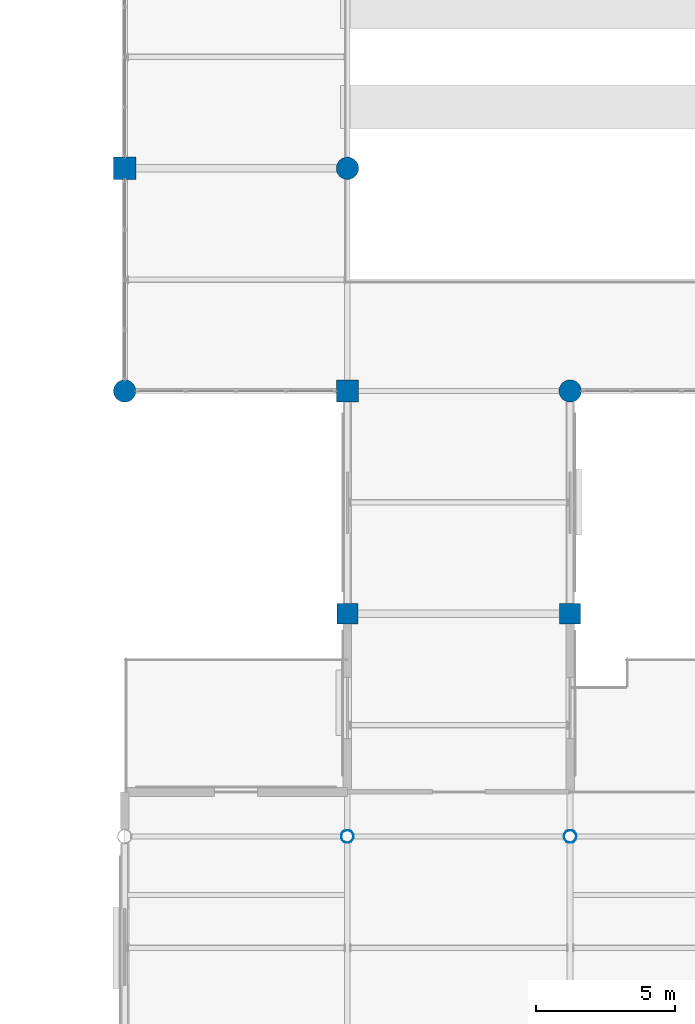
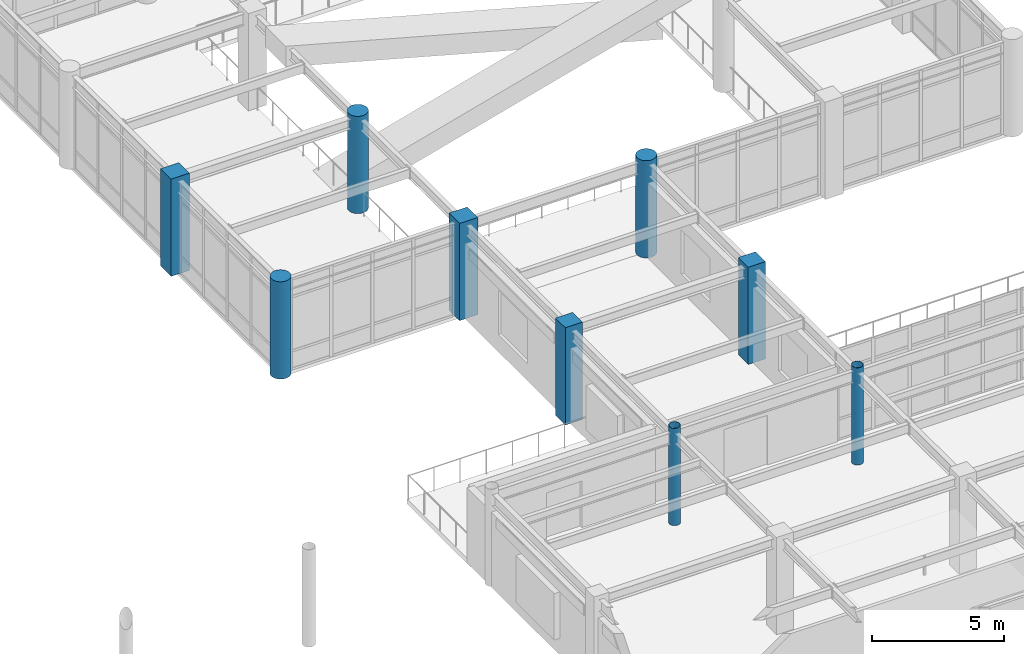
# One storey, part 3 of 93: 9 columns.
"""IFC4 building model written with IfcOpenShell, lengths in metres."""

from ifc_helpers import new_model, si_unit, direction, frame, origin, origin_2d, place, context, subcontext, project, spatial, rectangle, circle, hollow_circle, extrude, material, material_profile, profile_set, type_object, element, save


model = new_model("IFC4")

# Units and contexts
model_context = context("Model", 3, precision=1e-05, world=origin(), true_north=direction((0.0, 1.0)))
body_context = subcontext(model_context, "Body", "Model", "MODEL_VIEW")
ifc_project = project(units=[si_unit("LENGTHUNIT", "METRE"), si_unit("AREAUNIT", "SQUARE_METRE"), si_unit("VOLUMEUNIT", "CUBIC_METRE"), si_unit("PLANEANGLEUNIT", "RADIAN"), si_unit("MASSUNIT", "GRAM", prefix="KILO")], contexts=[model_context])

# Site, building, storey
site_placement = place(None, origin())
site = spatial("IfcSite", under=ifc_project, at=site_placement, CompositionType="ELEMENT")
building_placement = place(site_placement, origin())
building = spatial("IfcBuilding", under=site, at=building_placement, Name="Solmirada Galleria", CompositionType="ELEMENT")
storey_placement = place(building_placement, frame((0.0, 0.0, 14.89990234375)))
storey = spatial("IfcBuildingStorey", under=building, at=storey_placement, Name="L03", CompositionType="ELEMENT", Elevation=14.89990234375)

# Columns
ifc_material_1 = material(Name="Steel S355 / ASTM A500 Grade C", Category="steel")
ifc_material_profile_1 = material_profile(ifc_material_1, hollow_circle(Radius=0.228515625, WallThickness=0.01171875, at=origin_2d()), Name="HSS18.000X0.500")
ifc_profile_set_1 = profile_set([ifc_material_profile_1], Name="Steel S355 / ASTM A500 Grade C")
column_type_1 = type_object("IfcColumnType", Name="COL-CHS18", PredefinedType="COLUMN", material=ifc_profile_set_1)
for number, where, z_axis, x_axis, name in (
    (1, (88.0, 32.0, 0.0), (0.0, 0.0, 1.0), (1.0, 0.0, 0.0), "Structural column L03-0498"),
    (2, (96.0, 32.0, 0.0), (0.0, 0.0, 1.0), (1.0, 0.0, 0.0), "Structural column L03-0620"),
):
    element("IfcColumn", number, at=place(storey_placement, frame(where, z_axis=z_axis, x_axis=x_axis)), inside=storey, type_object=column_type_1, Name=name, PredefinedType="COLUMN", context=body_context, shape_type="SweptSolid", body=[
        extrude(hollow_circle(Radius=0.228515625, WallThickness=0.01171875, at=origin_2d()), origin(), (0.0, 0.0, 1.0), 4.5),
    ])
ifc_material_2 = material(Name="Concrete C40/50", Category="concrete")
ifc_material_profile_2 = material_profile(ifc_material_2, circle(Radius=0.39990234375, at=origin_2d()), Name="RCCOL800")
ifc_profile_set_2 = profile_set([ifc_material_profile_2], Name="Concrete C40/50")
column_type_2 = type_object("IfcColumnType", Name="COL-CIR800", PredefinedType="COLUMN", material=ifc_profile_set_2)
for number, where, z_axis, x_axis, name in (
    (3, (80.0, 48.0, 0.0), (0.0, 0.0, 1.0), (1.0, 0.0, 0.0), "Structural column L03-0391"),
    (4, (88.0, 56.0, 0.0), (0.0, 0.0, 1.0), (1.0, 0.0, 0.0), "Structural column L03-0523"),
    (5, (96.0, 48.0, 0.0), (0.0, 0.0, 1.0), (1.0, 0.0, 0.0), "Structural column L03-0636"),
):
    element("IfcColumn", number, at=place(storey_placement, frame(where, z_axis=z_axis, x_axis=x_axis)), inside=storey, type_object=column_type_2, Name=name, PredefinedType="COLUMN", context=body_context, shape_type="SweptSolid", body=[
        extrude(circle(Radius=0.39990234375, at=origin_2d()), origin(), (0.0, 0.0, 1.0), 4.5),
    ])
ifc_material_profile_3 = material_profile(ifc_material_2, rectangle(XDim=0.75, YDim=0.75, at=origin_2d()), Name="RC750X750")
ifc_profile_set_3 = profile_set([ifc_material_profile_3], Name="Concrete C40/50")
column_type_3 = type_object("IfcColumnType", Name="COL-RC750", PredefinedType="COLUMN", material=ifc_profile_set_3)
for number, where, z_axis, x_axis, name in (
    (6, (88.0, 40.0, 0.0), (0.0, 0.0, 1.0), (1.0, 0.0, 0.0), "Structural column L03-0506"),
    (7, (96.0, 40.0, 0.0), (0.0, 0.0, 1.0), (1.0, 0.0, 0.0), "Structural column L03-0628"),
):
    element("IfcColumn", number, at=place(storey_placement, frame(where, z_axis=z_axis, x_axis=x_axis)), inside=storey, type_object=column_type_3, Name=name, PredefinedType="COLUMN", context=body_context, shape_type="SweptSolid", body=[
        extrude(rectangle(XDim=0.75, YDim=0.75, at=origin_2d()), origin(), (0.0, 0.0, 1.0), 4.5),
    ])
ifc_material_profile_4 = material_profile(ifc_material_2, rectangle(XDim=0.800048828125, YDim=0.800048828125, at=origin_2d()), Name="RC800X800")
ifc_profile_set_4 = profile_set([ifc_material_profile_4], Name="Concrete C40/50")
column_type_4 = type_object("IfcColumnType", Name="COL-RC800", PredefinedType="COLUMN", material=ifc_profile_set_4)
for number, where, z_axis, x_axis, name in (
    (8, (80.0, 56.0, 0.0), (0.0, 0.0, 1.0), (1.0, 0.0, 0.0), "Structural column L03-0400"),
    (9, (88.0, 48.0, 0.0), (0.0, 0.0, 1.0), (1.0, 0.0, 0.0), "Structural column L03-0514"),
):
    element("IfcColumn", number, at=place(storey_placement, frame(where, z_axis=z_axis, x_axis=x_axis)), inside=storey, type_object=column_type_4, Name=name, PredefinedType="COLUMN", context=body_context, shape_type="SweptSolid", body=[
        extrude(rectangle(XDim=0.800048828125, YDim=0.800048828125, at=origin_2d()), origin(), (0.0, 0.0, 1.0), 4.5),
    ])

save(model, "model.ifc")
